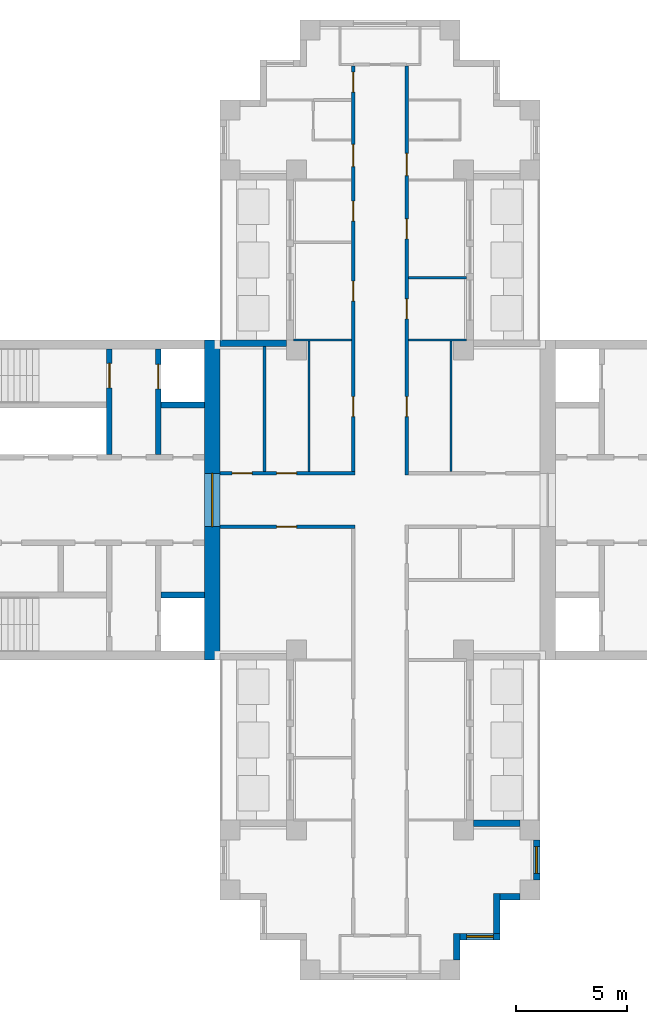
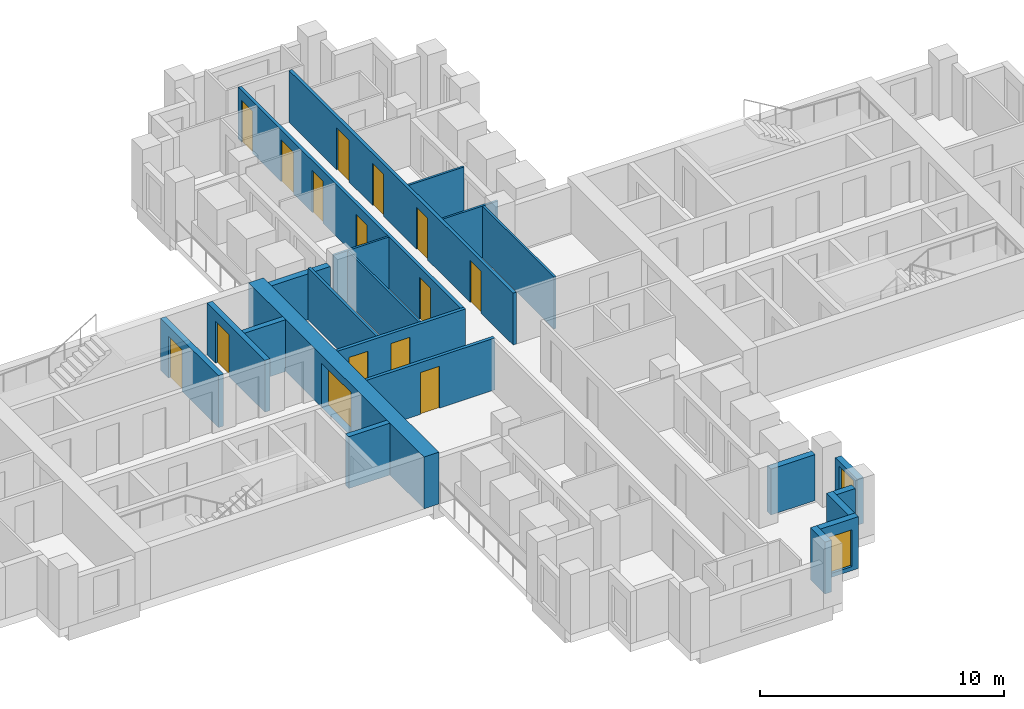
# One storey, part 4 of 10: 22 walls, 15 doors, 2 windows, 17 openings.
"""IFC4 building model written with IfcOpenShell, lengths in metres."""

import ifcopenshell
import ifcopenshell.guid

model = None  # the IFC model being written
_history = None  # IfcOwnerHistory: only IFC2X3 demands one
_inside = {}  # id of a spatial element -> (the spatial element, [elements in it])
_under = {}  # id of a project, library or spatial element -> (it, [spatial elements below it])
_declared = {}  # id of a project -> (the project, [libraries it declares])
_typed = {}  # id of a type object -> (the type object, [elements of that type])
_made_of = {}  # id of a material, layer set ... -> (it, [elements and type objects made of it])


def new_model(schema):
    """Start an empty IFC model of exactly this schema.

    Asked for "IFC4X3", IfcOpenShell would pick the latest addendum, in which some entities
    have other attributes; the version numbers below select the first issue.
    IFC2X3 requires an IfcOwnerHistory on every rooted entity: one is made here for all.
    """
    global model, _history
    if schema == "IFC4X3":
        model = ifcopenshell.file(schema_version=(4, 3, 0, 0))
    else:
        model = ifcopenshell.file(schema=schema)
    _inside.clear()
    _under.clear()
    _declared.clear()
    _typed.clear()
    _made_of.clear()
    _history = None
    if model.schema == "IFC2X3":
        org = make("IfcOrganization", Name="unknown")
        user = make(
            "IfcPersonAndOrganization",
            ThePerson=make("IfcPerson", FamilyName="unknown"),
            TheOrganization=org,
        )
        app = make(
            "IfcApplication",
            ApplicationDeveloper=org,
            Version="unknown",
            ApplicationFullName="unknown",
            ApplicationIdentifier="unknown",
        )
        _history = make(
            "IfcOwnerHistory",
            OwningUser=user,
            OwningApplication=app,
            ChangeAction="ADDED",
            CreationDate=0,
        )
    return model


def make(cls, **values):
    """One entity of the class cls with the attributes given. An attribute that is None is left unset."""
    return model.create_entity(
        cls, **{name: value for name, value in values.items() if value is not None}
    )


def rooted(cls, **values):
    """An entity with a GlobalId (a new one), such as an element, a storey or a relation."""
    return make(cls, GlobalId=ifcopenshell.guid.new(), OwnerHistory=_history, **values)


def si_unit(unit_type, name, prefix=None):
    """IfcSIUnit, for example si_unit("LENGTHUNIT", "METRE", prefix="MILLI")."""
    return make("IfcSIUnit", UnitType=unit_type, Prefix=prefix, Name=name)


def assignment(units):
    """IfcUnitAssignment: the units of a project."""
    return None if units is None else make("IfcUnitAssignment", Units=units)


def point(xyz):
    """IfcCartesianPoint."""
    return None if xyz is None else make("IfcCartesianPoint", Coordinates=xyz)


def direction(xyz):
    """IfcDirection."""
    return None if xyz is None else make("IfcDirection", DirectionRatios=xyz)


def frame(location, z_axis=None, x_axis=None):
    """IfcAxis2Placement3D, a coordinate frame: its origin and axes. An axis left out is left unset."""
    return make(
        "IfcAxis2Placement3D",
        Location=point(location),
        Axis=direction(z_axis),
        RefDirection=direction(x_axis),
    )


def frame_2d(location, x_axis=None):
    """IfcAxis2Placement2D, a coordinate frame in the plane: its origin and x axis."""
    return make(
        "IfcAxis2Placement2D", Location=point(location), RefDirection=direction(x_axis)
    )


def origin():
    """The frame at (0, 0, 0) with its axes left unset."""
    return frame((0.0, 0.0, 0.0))


def place(relative_to, where):
    """IfcLocalPlacement: puts the frame where relative to a parent placement (None: the world)."""
    return make(
        "IfcLocalPlacement", PlacementRelTo=relative_to, RelativePlacement=where
    )


def context(
    kind, dimensions, precision=None, world=None, true_north=None, identifier=None
):
    """IfcGeometricRepresentationContext, for example the 3D "Model" context."""
    return make(
        "IfcGeometricRepresentationContext",
        ContextIdentifier=identifier,
        ContextType=kind,
        CoordinateSpaceDimension=dimensions,
        Precision=precision,
        WorldCoordinateSystem=world,
        TrueNorth=true_north,
    )


def subcontext(parent, identifier, kind, view, scale=None):
    """IfcGeometricRepresentationSubContext, for example "Body" below "Model"."""
    return make(
        "IfcGeometricRepresentationSubContext",
        ContextIdentifier=identifier,
        ContextType=kind,
        ParentContext=parent,
        TargetScale=scale,
        TargetView=view,
    )


def project(units=None, contexts=None):
    """IfcProject with its units and contexts."""
    return rooted(
        "IfcProject",
        Name="project",
        RepresentationContexts=contexts,
        UnitsInContext=assignment(units),
    )


def spatial(cls, under=None, at=None, **own):
    """A site, building, storey or space (cls), placed at a placement, below another one or the project."""
    s = rooted(cls, ObjectPlacement=at, **own)
    if under is not None:
        _under.setdefault(under.id(), (under, []))[1].append(s)
    return s


def profile(cls, at=None, kind="AREA", **sizes):
    """A parametric profile (cls). Its sizes go by their IFC names, for example OverallWidth=200.0."""
    return make(cls, ProfileType=kind, Position=at, **sizes)


def rectangle(**sizes):
    """IfcRectangleProfileDef."""
    return profile("IfcRectangleProfileDef", **sizes)


def extrude(swept, where, along, depth):
    """IfcExtrudedAreaSolid: the profile swept, set in the frame where, extruded along a direction by depth."""
    return make(
        "IfcExtrudedAreaSolid",
        SweptArea=swept,
        Position=where,
        ExtrudedDirection=direction(along),
        Depth=depth,
    )


def shape(context_of_items, identifier, shape_type, items):
    """IfcShapeRepresentation: the items that make up one representation, for example the "Body"."""
    return make(
        "IfcShapeRepresentation",
        ContextOfItems=context_of_items,
        RepresentationIdentifier=identifier,
        RepresentationType=shape_type,
        Items=items,
    )


def material(Name=None, Category=None):
    """IfcMaterial."""
    return make("IfcMaterial", Name=Name, Category=Category)


def layer(
    of_material, thickness, ventilated=None, Name=None, Category=None, Priority=None
):
    """IfcMaterialLayer: one layer of a wall or slab, of a material (None: an air gap)."""
    return make(
        "IfcMaterialLayer",
        Material=of_material,
        LayerThickness=thickness,
        IsVentilated=ventilated,
        Name=Name,
        Category=Category,
        Priority=Priority,
    )


def layer_set(layers, Name=None):
    """IfcMaterialLayerSet."""
    return make("IfcMaterialLayerSet", MaterialLayers=layers, LayerSetName=Name)


def made_of(thing, what):
    """Note that an element or type object is made of a material, layer set ...; save() writes the relation."""
    if what is not None:
        _made_of.setdefault(what.id(), (what, []))[1].append(thing)
    return thing


def type_object(cls, material=None, **own):
    """A type object (cls), such as IfcWallType, which elements share."""
    return made_of(rooted(cls, **own), material)


def element(
    cls,
    number,
    at=None,
    inside=None,
    cuts=None,
    type_object=None,
    material=None,
    context=None,
    identifier="Body",
    shape_type=None,
    held_by="IfcProductDefinitionShape",
    body=None,
    shapes=None,
    **own,
):
    """One element of the class cls, such as IfcWall. Its Tag is "e" and its number.

    at: its placement. inside: the storey or other place that contains it. cuts: it is an
    opening in that element (IfcRelVoidsElement). A single representation is given by context,
    identifier, shape_type and body (its items); several are given by shapes. held_by: the class
    of the entity that holds the representations. save() writes the other relations.
    """
    e = rooted(cls, Tag="e%d" % number, ObjectPlacement=at, **own)
    if body is not None:
        shapes = [shape(context, identifier, shape_type, body)]
    if shapes is not None:
        e.Representation = make(held_by, Representations=shapes)
    if inside is not None:
        _inside.setdefault(inside.id(), (inside, []))[1].append(e)
    if cuts is not None:
        rooted(
            "IfcRelVoidsElement", RelatingBuildingElement=cuts, RelatedOpeningElement=e
        )
    if type_object is not None:
        _typed.setdefault(type_object.id(), (type_object, []))[1].append(e)
    return made_of(e, material)


def fill(opening, filler):
    """IfcRelFillsElement: the door or window that sits in an opening."""
    return rooted(
        "IfcRelFillsElement",
        RelatingOpeningElement=opening,
        RelatedBuildingElement=filler,
    )


def aggregate(whole, parts):
    """IfcRelAggregates: a whole, such as a stair, and the parts it consists of."""
    return rooted("IfcRelAggregates", RelatingObject=whole, RelatedObjects=parts)


def save(model, path):
    """Write the relations noted so far, then the file.

    IfcRelAggregates (storeys below a building ...), IfcRelContainedInSpatialStructure (elements
    in a storey), IfcRelDefinesByType, IfcRelAssociatesMaterial and IfcRelDeclares: one each for
    every whole, place, type object, material and project.
    """
    for whole, parts in _under.values():
        aggregate(whole, parts)
    for where, things in _inside.values():
        rooted(
            "IfcRelContainedInSpatialStructure",
            RelatedElements=things,
            RelatingStructure=where,
        )
    for kind, things in _typed.values():
        rooted("IfcRelDefinesByType", RelatedObjects=things, RelatingType=kind)
    for what, things in _made_of.values():
        rooted("IfcRelAssociatesMaterial", RelatedObjects=things, RelatingMaterial=what)
    for by, libraries in _declared.values():
        rooted("IfcRelDeclares", RelatingContext=by, RelatedDefinitions=libraries)
    model.write(path)


model = new_model("IFC4")

# Units and contexts
model_context = context("Model", 3, precision=1e-05, world=origin(), true_north=direction((0.0, 1.0)))
body_context = subcontext(model_context, "Body", "Model", "MODEL_VIEW")
ifc_project = project(units=[si_unit("LENGTHUNIT", "METRE"), si_unit("AREAUNIT", "SQUARE_METRE"), si_unit("VOLUMEUNIT", "CUBIC_METRE"), si_unit("PLANEANGLEUNIT", "RADIAN"), si_unit("MASSUNIT", "GRAM", prefix="KILO")], contexts=[model_context])

# Site, building, storey
site_placement = place(None, origin())
site = spatial("IfcSite", under=ifc_project, at=site_placement, CompositionType="ELEMENT")
building_placement = place(site_placement, origin())
building = spatial("IfcBuilding", under=site, at=building_placement, Name="Fustian Cross Tower", CompositionType="ELEMENT")
storey_placement = place(building_placement, frame((0.0, 0.0, 207.89990234375)))
storey = spatial("IfcBuildingStorey", under=building, at=storey_placement, Name="L65", CompositionType="ELEMENT", Elevation=207.89990234375)

# Wall, opening, door
ifc_material_1 = material(Name="Plasterboard on steel stud", Category="steel")
ifc_layer_1 = layer(ifc_material_1, 0.14990234375)
ifc_layer_set_1 = layer_set([ifc_layer_1], Name="Plasterboard on steel stud")
wall_type_1 = type_object("IfcWallType", Name="COMPARTMENT WALL 150 EI 60", PredefinedType="PARTITIONING", material=ifc_layer_set_1)
wall_1_placement = place(storey_placement, frame((-7.199951171875, -1.199951171875, 0.0), z_axis=(0.0, 0.0, 1.0), x_axis=(1.0, 0.0, 0.0)))
wall_1 = element("IfcWall", 1, at=wall_1_placement, inside=storey, type_object=wall_type_1, Name="Partition 10", PredefinedType="PARTITIONING", context=body_context, shape_type="SweptSolid", body=[
    extrude(rectangle(XDim=6.074951171875, YDim=0.14990234375, at=frame_2d((3.03759765625, 0.0))), origin(), (0.0, 0.0, 1.0), 2.60009765625),
])
opening_1_placement = place(wall_1_placement, frame((2.550048828125, 0.0, 0.0)))
opening_1 = element("IfcOpeningElement", 2, at=opening_1_placement, cuts=wall_1, Name="Opening D30009", PredefinedType="OPENING", context=body_context, shape_type="SweptSolid", body=[
    extrude(rectangle(XDim=0.89990234375, YDim=2.10009765625, at=frame_2d((0.449951171875, 1.050048828125))), frame((0.0, 0.0849609375, 0.0), z_axis=(0.0, -1.0, 0.0), x_axis=(1.0, 0.0, 0.0)), (0.0, 0.0, 1.0), 0.169921875),
])
ifc_material_2 = material(Name="Timber fire door set", Category="wood")
door_type_1 = type_object("IfcDoorType", Name="FIRE SWING DOOR 900 FD30S", OperationType="SINGLE_SWING_LEFT", PredefinedType="DOOR", material=ifc_material_2)
door_1_placement = place(opening_1_placement, frame((0.89990234375, 0.0, 0.0), z_axis=(0.0, 0.0, 1.0), x_axis=(-1.0, 0.0, 0.0)))
door_1 = element("IfcDoor", 3, at=door_1_placement, inside=storey, type_object=door_type_1, Name="Door D30009", OperationType="SINGLE_SWING_RIGHT", OverallHeight=2.10009765625, OverallWidth=0.89990234375, PredefinedType="DOOR", context=body_context, shape_type="SweptSolid", body=[
    extrude(rectangle(XDim=0.89990234375, YDim=2.10009765625, at=frame_2d((0.449951171875, 1.050048828125))), frame((0.0, 0.02490234375, 0.0), z_axis=(0.0, -1.0, 0.0), x_axis=(1.0, 0.0, 0.0)), (0.0, 0.0, 1.0), 0.050048828125),
])
fill(opening_1, door_1)

# Wall, openings, doors
wall_2_placement = place(storey_placement, frame((-7.199951171875, 1.199951171875, 0.0), z_axis=(0.0, 0.0, 1.0), x_axis=(1.0, 0.0, 0.0)))
wall_2 = element("IfcWall", 4, at=wall_2_placement, inside=storey, type_object=wall_type_1, Name="Partition 11", PredefinedType="PARTITIONING", context=body_context, shape_type="SweptSolid", body=[
    extrude(rectangle(XDim=6.074951171875, YDim=0.14990234375, at=frame_2d((3.03759765625, 0.0))), origin(), (0.0, 0.0, 1.0), 2.60009765625),
])
opening_2_placement = place(wall_2_placement, frame((2.550048828125, 0.0, 0.0)))
opening_2 = element("IfcOpeningElement", 5, at=opening_2_placement, cuts=wall_2, Name="Opening D30004", PredefinedType="OPENING", context=body_context, shape_type="SweptSolid", body=[
    extrude(rectangle(XDim=0.89990234375, YDim=2.10009765625, at=frame_2d((0.449951171875, 1.050048828125))), frame((0.0, 0.0849609375, 0.0), z_axis=(0.0, -1.0, 0.0), x_axis=(1.0, 0.0, 0.0)), (0.0, 0.0, 1.0), 0.169921875),
])
opening_3_placement = place(wall_2_placement, frame((0.550048828125, 0.0, 0.0)))
opening_3 = element("IfcOpeningElement", 6, at=opening_3_placement, cuts=wall_2, Name="Opening D30005", PredefinedType="OPENING", context=body_context, shape_type="SweptSolid", body=[
    extrude(rectangle(XDim=0.89990234375, YDim=2.10009765625, at=frame_2d((0.449951171875, 1.050048828125))), frame((0.0, 0.0849609375, 0.0), z_axis=(0.0, -1.0, 0.0), x_axis=(1.0, 0.0, 0.0)), (0.0, 0.0, 1.0), 0.169921875),
])
door_2_placement = place(opening_2_placement, origin())
door_2 = element("IfcDoor", 7, at=door_2_placement, inside=storey, type_object=door_type_1, Name="Door D30004", OperationType="SINGLE_SWING_LEFT", OverallHeight=2.10009765625, OverallWidth=0.89990234375, PredefinedType="DOOR", context=body_context, shape_type="SweptSolid", body=[
    extrude(rectangle(XDim=0.89990234375, YDim=2.10009765625, at=frame_2d((0.449951171875, 1.050048828125))), frame((0.0, 0.02490234375, 0.0), z_axis=(0.0, -1.0, 0.0), x_axis=(1.0, 0.0, 0.0)), (0.0, 0.0, 1.0), 0.050048828125),
])
fill(opening_2, door_2)
door_3_placement = place(opening_3_placement, origin())
door_3 = element("IfcDoor", 8, at=door_3_placement, inside=storey, type_object=door_type_1, Name="Door D30005", OperationType="SINGLE_SWING_LEFT", OverallHeight=2.10009765625, OverallWidth=0.89990234375, PredefinedType="DOOR", context=body_context, shape_type="SweptSolid", body=[
    extrude(rectangle(XDim=0.89990234375, YDim=2.10009765625, at=frame_2d((0.449951171875, 1.050048828125))), frame((0.0, 0.02490234375, 0.0), z_axis=(0.0, -1.0, 0.0), x_axis=(1.0, 0.0, 0.0)), (0.0, 0.0, 1.0), 0.050048828125),
])
fill(opening_3, door_3)

wall_3_placement = place(storey_placement, frame((-1.199951171875, 1.27490234375, 0.0), z_axis=(0.0, 0.0, 1.0), x_axis=(0.0, 1.0, 0.0)))
wall_3 = element("IfcWall", 9, at=wall_3_placement, inside=storey, type_object=wall_type_1, Name="Partition 30", PredefinedType="PARTITIONING", context=body_context, shape_type="SweptSolid", body=[
    extrude(rectangle(XDim=18.25, YDim=0.14990234375, at=frame_2d((9.125, 0.0))), origin(), (0.0, 0.0, 1.0), 2.60009765625),
])
opening_4_placement = place(wall_3_placement, frame((2.47509765625, 0.0, 0.0)))
opening_4 = element("IfcOpeningElement", 10, at=opening_4_placement, cuts=wall_3, Name="Opening D30003", PredefinedType="OPENING", context=body_context, shape_type="SweptSolid", body=[
    extrude(rectangle(XDim=0.89990234375, YDim=2.10009765625, at=frame_2d((0.449951171875, 1.050048828125))), frame((0.0, 0.0849609375, 0.0), z_axis=(0.0, -1.0, 0.0), x_axis=(1.0, 0.0, 0.0)), (0.0, 0.0, 1.0), 0.169921875),
])
opening_5_placement = place(wall_3_placement, frame((11.27490234375, 0.0, 0.0)))
opening_5 = element("IfcOpeningElement", 11, at=opening_5_placement, cuts=wall_3, Name="Opening D30016", PredefinedType="OPENING", context=body_context, shape_type="SweptSolid", body=[
    extrude(rectangle(XDim=0.89990234375, YDim=2.10009765625, at=frame_2d((0.449951171875, 1.050048828125))), frame((0.0, 0.0849609375, 0.0), z_axis=(0.0, -1.0, 0.0), x_axis=(1.0, 0.0, 0.0)), (0.0, 0.0, 1.0), 0.169921875),
])
opening_6_placement = place(wall_3_placement, frame((7.675048828125, 0.0, 0.0)))
opening_6 = element("IfcOpeningElement", 12, at=opening_6_placement, cuts=wall_3, Name="Opening D30017", PredefinedType="OPENING", context=body_context, shape_type="SweptSolid", body=[
    extrude(rectangle(XDim=0.89990234375, YDim=2.10009765625, at=frame_2d((0.449951171875, 1.050048828125))), frame((0.0, 0.0849609375, 0.0), z_axis=(0.0, -1.0, 0.0), x_axis=(1.0, 0.0, 0.0)), (0.0, 0.0, 1.0), 0.169921875),
])
opening_7_placement = place(wall_3_placement, frame((13.72509765625, 0.0, 0.0)))
opening_7 = element("IfcOpeningElement", 13, at=opening_7_placement, cuts=wall_3, Name="Opening D30019", PredefinedType="OPENING", context=body_context, shape_type="SweptSolid", body=[
    extrude(rectangle(XDim=1.0, YDim=2.10009765625, at=frame_2d((0.5, 1.050048828125))), frame((0.0, 0.0849609375, 0.0), z_axis=(0.0, -1.0, 0.0), x_axis=(1.0, 0.0, 0.0)), (0.0, 0.0, 1.0), 0.169921875),
])
opening_8_placement = place(wall_3_placement, frame((17.074951171875, 0.0, 0.0)))
opening_8 = element("IfcOpeningElement", 14, at=opening_8_placement, cuts=wall_3, Name="Opening D30020", PredefinedType="OPENING", context=body_context, shape_type="SweptSolid", body=[
    extrude(rectangle(XDim=0.89990234375, YDim=2.10009765625, at=frame_2d((0.449951171875, 1.050048828125))), frame((0.0, 0.0849609375, 0.0), z_axis=(0.0, -1.0, 0.0), x_axis=(1.0, 0.0, 0.0)), (0.0, 0.0, 1.0), 0.169921875),
])
ifc_material_3 = material(Name="Timber fire door set", Category="wood")
door_type_2 = type_object("IfcDoorType", Name="FIRE SWING DOOR 1000 FD30S", OperationType="SINGLE_SWING_LEFT", PredefinedType="DOOR", material=ifc_material_3)
door_4_placement = place(opening_7_placement, origin())
door_4 = element("IfcDoor", 15, at=door_4_placement, inside=storey, type_object=door_type_2, Name="Door D30019", OperationType="SINGLE_SWING_RIGHT", OverallHeight=2.10009765625, OverallWidth=1.0, PredefinedType="DOOR", context=body_context, shape_type="SweptSolid", body=[
    extrude(rectangle(XDim=1.0, YDim=2.10009765625, at=frame_2d((0.5, 1.050048828125))), frame((0.0, 0.02490234375, 0.0), z_axis=(0.0, -1.0, 0.0), x_axis=(1.0, 0.0, 0.0)), (0.0, 0.0, 1.0), 0.050048828125),
])
fill(opening_7, door_4)
door_5_placement = place(opening_4_placement, origin())
door_5 = element("IfcDoor", 16, at=door_5_placement, inside=storey, type_object=door_type_1, Name="Door D30003", OperationType="SINGLE_SWING_LEFT", OverallHeight=2.10009765625, OverallWidth=0.89990234375, PredefinedType="DOOR", context=body_context, shape_type="SweptSolid", body=[
    extrude(rectangle(XDim=0.89990234375, YDim=2.10009765625, at=frame_2d((0.449951171875, 1.050048828125))), frame((0.0, 0.02490234375, 0.0), z_axis=(0.0, -1.0, 0.0), x_axis=(1.0, 0.0, 0.0)), (0.0, 0.0, 1.0), 0.050048828125),
])
fill(opening_4, door_5)
door_6_placement = place(opening_5_placement, origin())
door_6 = element("IfcDoor", 17, at=door_6_placement, inside=storey, type_object=door_type_1, Name="Door D30016", OperationType="SINGLE_SWING_LEFT", OverallHeight=2.10009765625, OverallWidth=0.89990234375, PredefinedType="DOOR", context=body_context, shape_type="SweptSolid", body=[
    extrude(rectangle(XDim=0.89990234375, YDim=2.10009765625, at=frame_2d((0.449951171875, 1.050048828125))), frame((0.0, 0.02490234375, 0.0), z_axis=(0.0, -1.0, 0.0), x_axis=(1.0, 0.0, 0.0)), (0.0, 0.0, 1.0), 0.050048828125),
])
fill(opening_5, door_6)
door_7_placement = place(opening_6_placement, origin())
door_7 = element("IfcDoor", 18, at=door_7_placement, inside=storey, type_object=door_type_1, Name="Door D30017", OperationType="SINGLE_SWING_LEFT", OverallHeight=2.10009765625, OverallWidth=0.89990234375, PredefinedType="DOOR", context=body_context, shape_type="SweptSolid", body=[
    extrude(rectangle(XDim=0.89990234375, YDim=2.10009765625, at=frame_2d((0.449951171875, 1.050048828125))), frame((0.0, 0.02490234375, 0.0), z_axis=(0.0, -1.0, 0.0), x_axis=(1.0, 0.0, 0.0)), (0.0, 0.0, 1.0), 0.050048828125),
])
fill(opening_6, door_7)
door_8_placement = place(opening_8_placement, origin())
door_8 = element("IfcDoor", 19, at=door_8_placement, inside=storey, type_object=door_type_1, Name="Door D30020", OperationType="SINGLE_SWING_LEFT", OverallHeight=2.10009765625, OverallWidth=0.89990234375, PredefinedType="DOOR", context=body_context, shape_type="SweptSolid", body=[
    extrude(rectangle(XDim=0.89990234375, YDim=2.10009765625, at=frame_2d((0.449951171875, 1.050048828125))), frame((0.0, 0.02490234375, 0.0), z_axis=(0.0, -1.0, 0.0), x_axis=(1.0, 0.0, 0.0)), (0.0, 0.0, 1.0), 0.050048828125),
])
fill(opening_8, door_8)

wall_4_placement = place(storey_placement, frame((1.199951171875, 1.125, 0.0), z_axis=(0.0, 0.0, 1.0), x_axis=(0.0, 1.0, 0.0)))
wall_4 = element("IfcWall", 20, at=wall_4_placement, inside=storey, type_object=wall_type_1, Name="Partition 38", PredefinedType="PARTITIONING", context=body_context, shape_type="SweptSolid", body=[
    extrude(rectangle(XDim=18.39990234375, YDim=0.14990234375, at=frame_2d((9.199951171875, 0.0))), origin(), (0.0, 0.0, 1.0), 2.60009765625),
])
opening_9_placement = place(wall_4_placement, frame((2.625, 0.0, 0.0)))
opening_9 = element("IfcOpeningElement", 21, at=opening_9_placement, cuts=wall_4, Name="Opening D30001", PredefinedType="OPENING", context=body_context, shape_type="SweptSolid", body=[
    extrude(rectangle(XDim=0.89990234375, YDim=2.10009765625, at=frame_2d((0.449951171875, 1.050048828125))), frame((0.0, 0.0849609375, 0.0), z_axis=(0.0, -1.0, 0.0), x_axis=(1.0, 0.0, 0.0)), (0.0, 0.0, 1.0), 0.169921875),
])
opening_10_placement = place(wall_4_placement, frame((7.02490234375, 0.0, 0.0)))
opening_10 = element("IfcOpeningElement", 22, at=opening_10_placement, cuts=wall_4, Name="Opening D30021", PredefinedType="OPENING", context=body_context, shape_type="SweptSolid", body=[
    extrude(rectangle(XDim=0.89990234375, YDim=2.10009765625, at=frame_2d((0.449951171875, 1.050048828125))), frame((0.0, 0.0849609375, 0.0), z_axis=(0.0, -1.0, 0.0), x_axis=(1.0, 0.0, 0.0)), (0.0, 0.0, 1.0), 0.169921875),
])
opening_11_placement = place(wall_4_placement, frame((10.625, 0.0, 0.0)))
opening_11 = element("IfcOpeningElement", 23, at=opening_11_placement, cuts=wall_4, Name="Opening D30022", PredefinedType="OPENING", context=body_context, shape_type="SweptSolid", body=[
    extrude(rectangle(XDim=0.89990234375, YDim=2.10009765625, at=frame_2d((0.449951171875, 1.050048828125))), frame((0.0, 0.0849609375, 0.0), z_axis=(0.0, -1.0, 0.0), x_axis=(1.0, 0.0, 0.0)), (0.0, 0.0, 1.0), 0.169921875),
])
opening_12_placement = place(wall_4_placement, frame((13.47509765625, 0.0, 0.0)))
opening_12 = element("IfcOpeningElement", 24, at=opening_12_placement, cuts=wall_4, Name="Opening D30024", PredefinedType="OPENING", context=body_context, shape_type="SweptSolid", body=[
    extrude(rectangle(XDim=1.0, YDim=2.10009765625, at=frame_2d((0.5, 1.050048828125))), frame((0.0, 0.0849609375, 0.0), z_axis=(0.0, -1.0, 0.0), x_axis=(1.0, 0.0, 0.0)), (0.0, 0.0, 1.0), 0.169921875),
])
door_9_placement = place(opening_12_placement, frame((1.0, 0.0, 0.0), z_axis=(0.0, 0.0, 1.0), x_axis=(-1.0, 0.0, 0.0)))
door_9 = element("IfcDoor", 25, at=door_9_placement, inside=storey, type_object=door_type_2, Name="Door D30024", OperationType="SINGLE_SWING_RIGHT", OverallHeight=2.10009765625, OverallWidth=1.0, PredefinedType="DOOR", context=body_context, shape_type="SweptSolid", body=[
    extrude(rectangle(XDim=1.0, YDim=2.10009765625, at=frame_2d((0.5, 1.050048828125))), frame((0.0, 0.02490234375, 0.0), z_axis=(0.0, -1.0, 0.0), x_axis=(1.0, 0.0, 0.0)), (0.0, 0.0, 1.0), 0.050048828125),
])
fill(opening_12, door_9)
door_10_placement = place(opening_9_placement, frame((0.89990234375, 0.0, 0.0), z_axis=(0.0, 0.0, 1.0), x_axis=(-1.0, 0.0, 0.0)))
door_10 = element("IfcDoor", 26, at=door_10_placement, inside=storey, type_object=door_type_1, Name="Door D30001", OperationType="SINGLE_SWING_RIGHT", OverallHeight=2.10009765625, OverallWidth=0.89990234375, PredefinedType="DOOR", context=body_context, shape_type="SweptSolid", body=[
    extrude(rectangle(XDim=0.89990234375, YDim=2.10009765625, at=frame_2d((0.449951171875, 1.050048828125))), frame((0.0, 0.02490234375, 0.0), z_axis=(0.0, -1.0, 0.0), x_axis=(1.0, 0.0, 0.0)), (0.0, 0.0, 1.0), 0.050048828125),
])
fill(opening_9, door_10)
door_11_placement = place(opening_10_placement, frame((0.89990234375, 0.0, 0.0), z_axis=(0.0, 0.0, 1.0), x_axis=(-1.0, 0.0, 0.0)))
door_11 = element("IfcDoor", 27, at=door_11_placement, inside=storey, type_object=door_type_1, Name="Door D30021", OperationType="SINGLE_SWING_RIGHT", OverallHeight=2.10009765625, OverallWidth=0.89990234375, PredefinedType="DOOR", context=body_context, shape_type="SweptSolid", body=[
    extrude(rectangle(XDim=0.89990234375, YDim=2.10009765625, at=frame_2d((0.449951171875, 1.050048828125))), frame((0.0, 0.02490234375, 0.0), z_axis=(0.0, -1.0, 0.0), x_axis=(1.0, 0.0, 0.0)), (0.0, 0.0, 1.0), 0.050048828125),
])
fill(opening_10, door_11)
door_12_placement = place(opening_11_placement, frame((0.89990234375, 0.0, 0.0), z_axis=(0.0, 0.0, 1.0), x_axis=(-1.0, 0.0, 0.0)))
door_12 = element("IfcDoor", 28, at=door_12_placement, inside=storey, type_object=door_type_1, Name="Door D30022", OperationType="SINGLE_SWING_RIGHT", OverallHeight=2.10009765625, OverallWidth=0.89990234375, PredefinedType="DOOR", context=body_context, shape_type="SweptSolid", body=[
    extrude(rectangle(XDim=0.89990234375, YDim=2.10009765625, at=frame_2d((0.449951171875, 1.050048828125))), frame((0.0, 0.02490234375, 0.0), z_axis=(0.0, -1.0, 0.0), x_axis=(1.0, 0.0, 0.0)), (0.0, 0.0, 1.0), 0.050048828125),
])
fill(opening_11, door_12)

# Wall, opening, door
ifc_material_4 = material(Name="Concrete C50/60", Category="concrete")
ifc_layer_2 = layer(ifc_material_4, 0.699951171875)
ifc_layer_set_2 = layer_set([ifc_layer_2], Name="Concrete C50/60")
wall_type_2 = type_object("IfcWallType", Name="CORE END WALL 700 C50/60", PredefinedType="SHEAR", material=ifc_layer_set_2)
wall_5_placement = place(storey_placement, frame((-7.550048828125, -7.199951171875, 0.0), z_axis=(0.0, 0.0, 1.0), x_axis=(0.0, 1.0, 0.0)))
wall_5 = element("IfcWall", 29, at=wall_5_placement, inside=storey, type_object=wall_type_2, Name="Core end wall", PredefinedType="SHEAR", context=body_context, shape_type="SweptSolid", body=[
    extrude(rectangle(XDim=14.39990234375, YDim=0.699951171875, at=frame_2d((7.199951171875, 0.0))), origin(), (0.0, 0.0, 1.0), 2.60009765625),
])
opening_13_placement = place(wall_5_placement, frame((6.0, 0.0, 0.0)))
opening_13 = element("IfcOpeningElement", 30, at=opening_13_placement, cuts=wall_5, Name="Opening CD-28-29", PredefinedType="OPENING", context=body_context, shape_type="SweptSolid", body=[
    extrude(rectangle(XDim=2.39990234375, YDim=2.199951171875, at=frame_2d((1.199951171875, 1.10009765625))), frame((0.0, 0.35986328125, 0.0), z_axis=(0.0, -1.0, 0.0), x_axis=(1.0, 0.0, 0.0)), (0.0, 0.0, 1.0), 0.719970703125),
])
ifc_material_5 = material(Name="Steel", Category="steel")
door_type_3 = type_object("IfcDoorType", Name="FIRE DOOR FD30S DOUBLE 2400X2200", OperationType="DOUBLE_DOOR_DOUBLE_SWING", PredefinedType="DOOR", material=ifc_material_5)
door_13_placement = place(opening_13_placement, origin())
door_13 = element("IfcDoor", 31, at=door_13_placement, inside=storey, type_object=door_type_3, Name="Core door CD-28-29", OperationType="DOUBLE_DOOR_DOUBLE_SWING", OverallHeight=2.199951171875, OverallWidth=2.39990234375, PredefinedType="DOOR", context=body_context, shape_type="SweptSolid", body=[
    extrude(rectangle(XDim=2.39990234375, YDim=2.199951171875, at=frame_2d((1.199951171875, 1.10009765625))), frame((0.0, 0.02490234375, 0.0), z_axis=(0.0, -1.0, 0.0), x_axis=(1.0, 0.0, 0.0)), (0.0, 0.0, 1.0), 0.050048828125),
])
fill(opening_13, door_13)

# Wall
ifc_material_6 = material(Name="Concrete C50/60", Category="concrete")
ifc_layer_3 = layer(ifc_material_6, 0.25)
ifc_layer_set_3 = layer_set([ifc_layer_3], Name="Concrete C50/60")
wall_type_3 = type_object("IfcWallType", Name="CORE SHAFT WALL 250 C50/60", PredefinedType="SHEAR", material=ifc_layer_set_3)
wall_6_placement = place(storey_placement, frame((-7.89990234375, 4.27490234375, 0.0), z_axis=(0.0, 0.0, 1.0), x_axis=(-1.0, 0.0, 0.0)))
element("IfcWall", 32, at=wall_6_placement, inside=storey, type_object=wall_type_3, Name="Core shaft wall", PredefinedType="SHEAR", context=body_context, shape_type="SweptSolid", body=[
    extrude(rectangle(XDim=1.9501953125, YDim=0.25, at=frame_2d((0.97509765625, 0.0))), origin(), (0.0, 0.0, 1.0), 2.60009765625),
])

# Wall, opening, door
wall_7_placement = place(storey_placement, frame((-9.97509765625, 2.050048828125, 0.0), z_axis=(0.0, 0.0, 1.0), x_axis=(0.0, 1.0, 0.0)))
wall_7 = element("IfcWall", 33, at=wall_7_placement, inside=storey, type_object=wall_type_3, Name="Core shaft wall", PredefinedType="SHEAR", context=body_context, shape_type="SweptSolid", body=[
    extrude(rectangle(XDim=4.75, YDim=0.25, at=frame_2d((2.375, 0.0))), origin(), (0.0, 0.0, 1.0), 2.60009765625),
])
opening_14_placement = place(wall_7_placement, frame((2.949951171875, 0.0, 0.0)))
opening_14 = element("IfcOpeningElement", 34, at=opening_14_placement, cuts=wall_7, Name="Opening LD", PredefinedType="OPENING", context=body_context, shape_type="SweptSolid", body=[
    extrude(rectangle(XDim=1.10009765625, YDim=2.10009765625, at=frame_2d((0.550048828125, 1.050048828125))), frame((0.0, 0.135009765625, 0.0), z_axis=(0.0, -1.0, 0.0), x_axis=(1.0, 0.0, 0.0)), (0.0, 0.0, 1.0), 0.27001953125),
])
ifc_material_7 = material(Name="Stainless steel", Category="steel")
door_type_4 = type_object("IfcDoorType", Name="LIFT LANDING DOOR 1100X2100", OperationType="SLIDING_TO_LEFT", PredefinedType="DOOR", material=ifc_material_7)
door_14_placement = place(opening_14_placement, origin())
door_14 = element("IfcDoor", 35, at=door_14_placement, inside=storey, type_object=door_type_4, Name="Landing door FL1W", OperationType="SLIDING_TO_LEFT", OverallHeight=2.10009765625, OverallWidth=1.10009765625, PredefinedType="DOOR", context=body_context, shape_type="SweptSolid", body=[
    extrude(rectangle(XDim=1.10009765625, YDim=2.10009765625, at=frame_2d((0.550048828125, 1.050048828125))), frame((0.0, 0.02490234375, 0.0), z_axis=(0.0, -1.0, 0.0), x_axis=(1.0, 0.0, 0.0)), (0.0, 0.0, 1.0), 0.050048828125),
])
fill(opening_14, door_14)

wall_8_placement = place(storey_placement, frame((-12.175048828125, 2.050048828125, 0.0), z_axis=(0.0, 0.0, 1.0), x_axis=(0.0, 1.0, 0.0)))
wall_8 = element("IfcWall", 36, at=wall_8_placement, inside=storey, type_object=wall_type_3, Name="Core shaft wall", PredefinedType="SHEAR", context=body_context, shape_type="SweptSolid", body=[
    extrude(rectangle(XDim=4.75, YDim=0.25, at=frame_2d((2.375, 0.0))), origin(), (0.0, 0.0, 1.0), 2.60009765625),
])
opening_15_placement = place(wall_8_placement, frame((3.0, 0.0, 0.0)))
opening_15 = element("IfcOpeningElement", 37, at=opening_15_placement, cuts=wall_8, Name="Opening CD-28-23", PredefinedType="OPENING", context=body_context, shape_type="SweptSolid", body=[
    extrude(rectangle(XDim=1.10009765625, YDim=2.10009765625, at=frame_2d((0.550048828125, 1.050048828125))), frame((0.0, 0.135009765625, 0.0), z_axis=(0.0, -1.0, 0.0), x_axis=(1.0, 0.0, 0.0)), (0.0, 0.0, 1.0), 0.27001953125),
])
ifc_material_8 = material(Name="Steel", Category="steel")
door_type_5 = type_object("IfcDoorType", Name="FIRE DOOR FD60S 1100X2100", OperationType="SINGLE_SWING_LEFT", PredefinedType="DOOR", material=ifc_material_8)
door_15_placement = place(opening_15_placement, origin())
door_15 = element("IfcDoor", 38, at=door_15_placement, inside=storey, type_object=door_type_5, Name="Core door CD-28-23", OperationType="SINGLE_SWING_LEFT", OverallHeight=2.10009765625, OverallWidth=1.10009765625, PredefinedType="DOOR", context=body_context, shape_type="SweptSolid", body=[
    extrude(rectangle(XDim=1.10009765625, YDim=2.10009765625, at=frame_2d((0.550048828125, 1.050048828125))), frame((0.0, 0.02490234375, 0.0), z_axis=(0.0, -1.0, 0.0), x_axis=(1.0, 0.0, 0.0)), (0.0, 0.0, 1.0), 0.050048828125),
])
fill(opening_15, door_15)

# Walls
wall_9_placement = place(storey_placement, frame((-7.89990234375, -4.27490234375, 0.0), z_axis=(0.0, 0.0, 1.0), x_axis=(-1.0, 0.0, 0.0)))
element("IfcWall", 39, at=wall_9_placement, inside=storey, type_object=wall_type_3, Name="Core shaft wall", PredefinedType="SHEAR", context=body_context, shape_type="SweptSolid", body=[
    extrude(rectangle(XDim=1.9501953125, YDim=0.25, at=frame_2d((0.97509765625, 0.0))), origin(), (0.0, 0.0, 1.0), 2.60009765625),
])
ifc_material_9 = material(Name="Plasterboard on steel stud", Category="steel")
ifc_layer_4 = layer(ifc_material_9, 0.10009765625)
ifc_layer_set_4 = layer_set([ifc_layer_4], Name="Plasterboard on steel stud")
wall_type_4 = type_object("IfcWallType", Name="PARTITION 100 STUD", PredefinedType="PARTITIONING", material=ifc_layer_set_4)
wall_10_placement = place(storey_placement, frame((-3.89990234375, 7.199951171875, 0.0), z_axis=(0.0, 0.0, 1.0), x_axis=(1.0, 0.0, 0.0)))
element("IfcWall", 40, at=wall_10_placement, inside=storey, type_object=wall_type_4, Name="Partition 17", PredefinedType="PARTITIONING", context=body_context, shape_type="SweptSolid", body=[
    extrude(rectangle(XDim=2.625, YDim=0.10009765625, at=frame_2d((1.3125, 0.0))), origin(), (0.0, 0.0, 1.0), 2.60009765625),
])
wall_11_placement = place(storey_placement, frame((-3.199951171875, 1.27490234375, 0.0), z_axis=(0.0, 0.0, 1.0), x_axis=(0.0, 1.0, 0.0)))
element("IfcWall", 41, at=wall_11_placement, inside=storey, type_object=wall_type_4, Name="Partition 20", PredefinedType="PARTITIONING", context=body_context, shape_type="SweptSolid", body=[
    extrude(rectangle(XDim=5.875, YDim=0.10009765625, at=frame_2d((2.9375, 0.0))), origin(), (0.0, 0.0, 1.0), 2.60009765625),
])
for number, where, z_axis, x_axis, name in (
    (42, (1.27490234375, 7.199951171875, 0.0), (0.0, 0.0, 1.0), (1.0, 0.0, 0.0), "Partition 40"),
    (43, (1.27490234375, 10.0, 0.0), (0.0, 0.0, 1.0), (1.0, 0.0, 0.0), "Partition 41"),
):
    element("IfcWall", number, at=place(storey_placement, frame(where, z_axis=z_axis, x_axis=x_axis)), inside=storey, type_object=wall_type_4, Name=name, PredefinedType="PARTITIONING", context=body_context, shape_type="SweptSolid", body=[
        extrude(rectangle(XDim=2.625, YDim=0.10009765625, at=frame_2d((1.3125, 0.0))), origin(), (0.0, 0.0, 1.0), 2.60009765625),
    ])
wall_12_placement = place(storey_placement, frame((3.199951171875, 1.27490234375, 0.0), z_axis=(0.0, 0.0, 1.0), x_axis=(0.0, 1.0, 0.0)))
element("IfcWall", 44, at=wall_12_placement, inside=storey, type_object=wall_type_4, Name="Partition 48", PredefinedType="PARTITIONING", context=body_context, shape_type="SweptSolid", body=[
    extrude(rectangle(XDim=5.875, YDim=0.10009765625, at=frame_2d((2.9375, 0.0))), origin(), (0.0, 0.0, 1.0), 2.60009765625),
])
ifc_material_10 = material(Name="Plasterboard on steel stud", Category="steel")
ifc_layer_5 = layer(ifc_material_10, 0.125)
ifc_layer_set_5 = layer_set([ifc_layer_5], Name="Plasterboard on steel stud")
wall_type_5 = type_object("IfcWallType", Name="WET WALL 125 STUD", PredefinedType="PARTITIONING", material=ifc_layer_set_5)
wall_13_placement = place(storey_placement, frame((-5.199951171875, 1.27490234375, 0.0), z_axis=(0.0, 0.0, 1.0), x_axis=(0.0, 1.0, 0.0)))
element("IfcWall", 45, at=wall_13_placement, inside=storey, type_object=wall_type_5, Name="Partition 12", PredefinedType="PARTITIONING", context=body_context, shape_type="SweptSolid", body=[
    extrude(rectangle(XDim=5.625, YDim=0.125, at=frame_2d((2.8125, 0.0))), origin(), (0.0, 0.0, 1.0), 2.60009765625),
])
ifc_material_11 = material(Name="Dark aluminium cladding on insulated backing wall", Category="aluminium")
ifc_layer_6 = layer(ifc_material_11, 0.300048828125)
ifc_layer_set_6 = layer_set([ifc_layer_6], Name="Dark aluminium cladding on insulated backing wall")
wall_type_6 = type_object("IfcWallType", Name="XW1 EXTERNAL WALL 300", PredefinedType="SOLIDWALL", material=ifc_layer_set_6)
wall_14_placement = place(storey_placement, frame((-4.199951171875, 7.050048828125, 0.0), z_axis=(0.0, 0.0, 1.0), x_axis=(-1.0, 0.0, 0.0)))
element("IfcWall", 46, at=wall_14_placement, inside=storey, type_object=wall_type_6, Name="External wall", PredefinedType="SOLIDWALL", context=body_context, shape_type="SweptSolid", body=[
    extrude(rectangle(XDim=3.0, YDim=0.300048828125, at=frame_2d((1.5, 0.0))), origin(), (0.0, 0.0, 1.0), 2.300048828125),
])
wall_15_placement = place(storey_placement, frame((3.449951171875, -20.699951171875, 0.0), z_axis=(0.0, 0.0, 1.0), x_axis=(0.0, 1.0, 0.0)))
element("IfcWall", 47, at=wall_15_placement, inside=storey, type_object=wall_type_6, Name="External wall", PredefinedType="SOLIDWALL", context=body_context, shape_type="SweptSolid", body=[
    extrude(rectangle(XDim=1.199951171875, YDim=0.300048828125, at=frame_2d((0.60009765625, 0.0))), origin(), (0.0, 0.0, 1.0), 2.60009765625),
])

# Wall, opening, window
wall_16_placement = place(storey_placement, frame((3.60009765625, -19.64990234375, 0.0), z_axis=(0.0, 0.0, 1.0), x_axis=(1.0, 0.0, 0.0)))
wall_16 = element("IfcWall", 48, at=wall_16_placement, inside=storey, type_object=wall_type_6, Name="External wall", PredefinedType="SOLIDWALL", context=body_context, shape_type="SweptSolid", body=[
    extrude(rectangle(XDim=1.7998046875, YDim=0.300048828125, at=frame_2d((0.89990234375, 0.0))), origin(), (0.0, 0.0, 1.0), 2.60009765625),
])
opening_16_placement = place(wall_16_placement, frame((0.300048828125, 0.0, 0.199951171875)))
opening_16 = element("IfcOpeningElement", 49, at=opening_16_placement, cuts=wall_16, Name="Opening WN3", PredefinedType="OPENING", context=body_context, shape_type="SweptSolid", body=[
    extrude(rectangle(XDim=1.199951171875, YDim=1.85009765625, at=frame_2d((0.60009765625, 0.925048828125))), frame((0.0, 0.159912109375, 0.0), z_axis=(0.0, -1.0, 0.0), x_axis=(1.0, 0.0, 0.0)), (0.0, 0.0, 1.0), 0.320068359375),
])
ifc_material_12 = material(Name="Dark anodised aluminium and double glazing", Category="aluminium")
window_type = type_object("IfcWindowType", Name="WN3 WINDOW 1200X1850", PartitioningType="SINGLE_PANEL", PredefinedType="WINDOW", material=ifc_material_12)
window_1_placement = place(opening_16_placement, origin())
window_1 = element("IfcWindow", 50, at=window_1_placement, inside=storey, type_object=window_type, Name="Window", OverallHeight=1.85009765625, OverallWidth=1.199951171875, PartitioningType="SINGLE_PANEL", PredefinedType="WINDOW", context=body_context, shape_type="SweptSolid", body=[
    extrude(rectangle(XDim=1.199951171875, YDim=1.85009765625, at=frame_2d((0.60009765625, 0.925048828125))), frame((0.0, 0.030029296875, 0.0), z_axis=(0.0, -1.0, 0.0), x_axis=(1.0, 0.0, 0.0)), (0.0, 0.0, 1.0), 0.06005859375),
])
fill(opening_16, window_1)

# Walls
wall_17_placement = place(storey_placement, frame((5.25, -19.5, 0.0), z_axis=(0.0, 0.0, 1.0), x_axis=(0.0, 1.0, 0.0)))
element("IfcWall", 51, at=wall_17_placement, inside=storey, type_object=wall_type_6, Name="External wall", PredefinedType="SOLIDWALL", context=body_context, shape_type="SweptSolid", body=[
    extrude(rectangle(XDim=1.800048828125, YDim=0.300048828125, at=frame_2d((0.89990234375, 0.0))), origin(), (0.0, 0.0, 1.0), 2.60009765625),
])
wall_18_placement = place(storey_placement, frame((5.39990234375, -17.85009765625, 0.0), z_axis=(0.0, 0.0, 1.0), x_axis=(1.0, 0.0, 0.0)))
element("IfcWall", 52, at=wall_18_placement, inside=storey, type_object=wall_type_6, Name="External wall", PredefinedType="SOLIDWALL", context=body_context, shape_type="SweptSolid", body=[
    extrude(rectangle(XDim=0.900146484375, YDim=0.300048828125, at=frame_2d((0.4501953125, 0.0))), origin(), (0.0, 0.0, 1.0), 2.60009765625),
])

# Wall, opening, window
wall_19_placement = place(storey_placement, frame((7.050048828125, -17.10009765625, 0.0), z_axis=(0.0, 0.0, 1.0), x_axis=(0.0, 1.0, 0.0)))
wall_19 = element("IfcWall", 53, at=wall_19_placement, inside=storey, type_object=wall_type_6, Name="External wall", PredefinedType="SOLIDWALL", context=body_context, shape_type="SweptSolid", body=[
    extrude(rectangle(XDim=1.800048828125, YDim=0.300048828125, at=frame_2d((0.89990234375, 0.0))), origin(), (0.0, 0.0, 1.0), 2.300048828125),
])
opening_17_placement = place(wall_19_placement, frame((0.300048828125, 0.0, 0.199951171875)))
opening_17 = element("IfcOpeningElement", 54, at=opening_17_placement, cuts=wall_19, Name="Opening WN3", PredefinedType="OPENING", context=body_context, shape_type="SweptSolid", body=[
    extrude(rectangle(XDim=1.199951171875, YDim=1.85009765625, at=frame_2d((0.60009765625, 0.925048828125))), frame((0.0, 0.159912109375, 0.0), z_axis=(0.0, -1.0, 0.0), x_axis=(1.0, 0.0, 0.0)), (0.0, 0.0, 1.0), 0.320068359375),
])
window_2_placement = place(opening_17_placement, origin())
window_2 = element("IfcWindow", 55, at=window_2_placement, inside=storey, type_object=window_type, Name="Window", OverallHeight=1.85009765625, OverallWidth=1.199951171875, PartitioningType="SINGLE_PANEL", PredefinedType="WINDOW", context=body_context, shape_type="SweptSolid", body=[
    extrude(rectangle(XDim=1.199951171875, YDim=1.85009765625, at=frame_2d((0.60009765625, 0.925048828125))), frame((0.0, 0.030029296875, 0.0), z_axis=(0.0, -1.0, 0.0), x_axis=(1.0, 0.0, 0.0)), (0.0, 0.0, 1.0), 0.06005859375),
])
fill(opening_17, window_2)

# Wall
wall_20_placement = place(storey_placement, frame((6.300048828125, -14.550048828125, 0.0), z_axis=(0.0, 0.0, 1.0), x_axis=(-1.0, 0.0, 0.0)))
element("IfcWall", 56, at=wall_20_placement, inside=storey, type_object=wall_type_6, Name="External wall", PredefinedType="SOLIDWALL", context=body_context, shape_type="SweptSolid", body=[
    extrude(rectangle(XDim=2.10009765625, YDim=0.300048828125, at=frame_2d((1.050048828125, 0.0))), origin(), (0.0, 0.0, 1.0), 2.300048828125),
])

save(model, "model.ifc")
